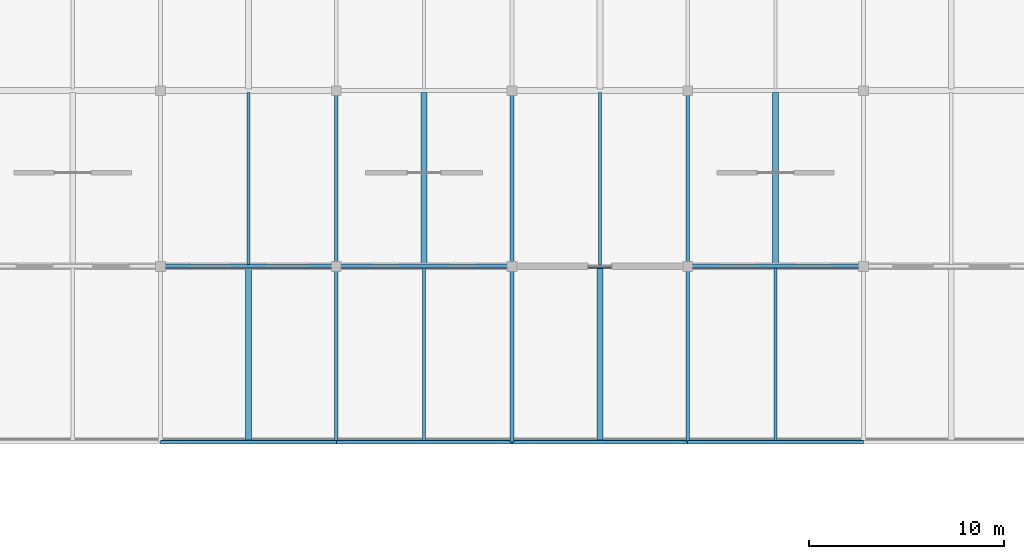
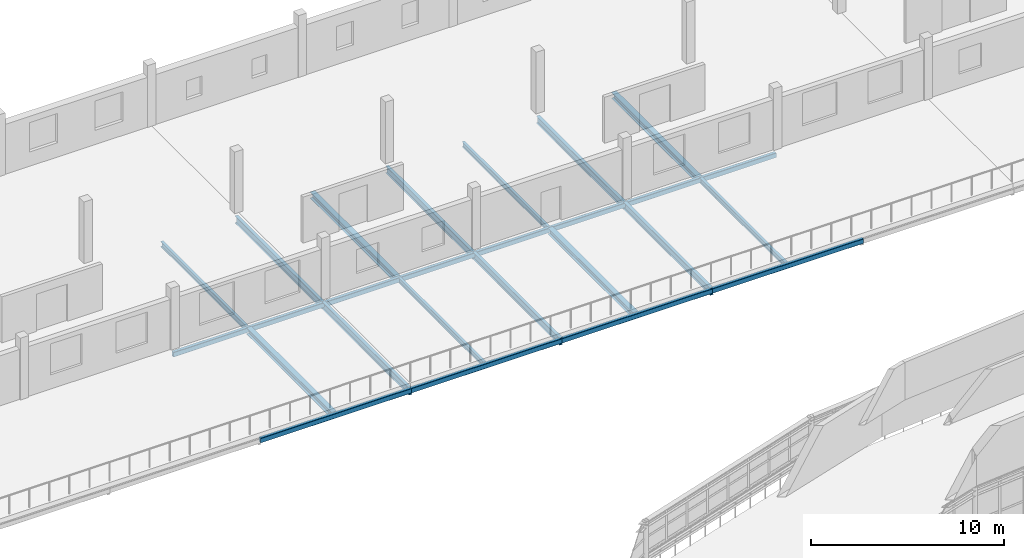
# One storey, part 73 of 123: 22 beams.
"""IFC4 building model written with IfcOpenShell, lengths in metres."""

from ifc_helpers import new_model, si_unit, direction, frame, origin, origin_2d, place, context, subcontext, project, spatial, hollow_rectangle, i_section, extrude, material, material_profile, profile_set, type_object, element, save


model = new_model("IFC4")

# Units and contexts
model_context = context("Model", 3, precision=1e-05, world=origin(), true_north=direction((0.0, 1.0)))
body_context = subcontext(model_context, "Body", "Model", "MODEL_VIEW")
ifc_project = project(units=[si_unit("LENGTHUNIT", "METRE"), si_unit("AREAUNIT", "SQUARE_METRE"), si_unit("VOLUMEUNIT", "CUBIC_METRE"), si_unit("PLANEANGLEUNIT", "RADIAN"), si_unit("MASSUNIT", "GRAM", prefix="KILO")], contexts=[model_context])

# Site, building, storey
site_placement = place(None, origin())
site = spatial("IfcSite", under=ifc_project, at=site_placement, CompositionType="ELEMENT")
building_placement = place(site_placement, origin())
building = spatial("IfcBuilding", under=site, at=building_placement, Name="Kildeholm Park Wholesale Market", CompositionType="ELEMENT")
storey_placement = place(building_placement, frame((0.0, 0.0, 9.60009765625)))
storey = spatial("IfcBuildingStorey", under=building, at=storey_placement, Name="L02", CompositionType="ELEMENT", Elevation=9.60009765625)

# Beams
ifc_material = material(Name="Steel S355", Category="steel")
ifc_material_profile_1 = material_profile(ifc_material, i_section(OverallWidth=0.18994140625, OverallDepth=0.449951171875, WebThickness=0.009521484375, FlangeThickness=0.0146484375, FilletRadius=0.02099609375, at=origin_2d()), Name="IPE 450")
ifc_profile_set_1 = profile_set([ifc_material_profile_1], Name="Steel S355")
beam_type_1 = type_object("IfcBeamType", Name="Beam B-P02 IPE 450", PredefinedType="BEAM", material=ifc_profile_set_1)
for number, where, z_axis, x_axis, name in (
    (1, (72.0, 153.0, -0.545166015625), (0.0, 1.0, 0.0), (-1.0, 0.0, 0.0), "Beam BM-V4-L02-Y-072-153 BM-0813"),
    (2, (81.0, 153.0, -0.545166015625), (0.0, 1.0, 0.0), (-1.0, 0.0, 0.0), "Beam BM-V4-L02-Y-081-153 BM-0820"),
    (3, (90.0, 153.0, -0.545166015625), (0.0, 1.0, 0.0), (-1.0, 0.0, 0.0), "Beam BM-V4-L02-Y-090-153 BM-0827"),
    (4, (72.0, 144.0, -0.51513671875), (0.0, 1.0, 0.0), (-1.0, 0.0, 0.0), "Beam BM-V4-L02-Y-072-144 BM-1014"),
    (5, (81.0, 144.0, -0.51513671875), (0.0, 1.0, 0.0), (-1.0, 0.0, 0.0), "Beam BM-V4-L02-Y-081-144 BM-1017"),
    (6, (90.0, 144.0, -0.51513671875), (0.0, 1.0, 0.0), (-1.0, 0.0, 0.0), "Beam BM-V4-L02-Y-090-144 BM-1020"),
):
    element("IfcBeam", number, at=place(storey_placement, frame(where, z_axis=z_axis, x_axis=x_axis)), inside=storey, type_object=beam_type_1, Name=name, PredefinedType="BEAM", context=body_context, shape_type="SweptSolid", body=[
        extrude(i_section(OverallWidth=0.18994140625, OverallDepth=0.449951171875, WebThickness=0.009521484375, FlangeThickness=0.0146484375, FilletRadius=0.02099609375, at=origin_2d()), origin(), (0.0, 0.0, 1.0), 9.0),
    ])
ifc_material_profile_2 = material_profile(ifc_material, i_section(OverallWidth=0.159912109375, OverallDepth=0.330078125, WebThickness=0.007568359375, FlangeThickness=0.011474609375, FilletRadius=0.01806640625, at=origin_2d()), Name="IPE 330")
ifc_profile_set_2 = profile_set([ifc_material_profile_2], Name="Steel S355")
beam_type_2 = type_object("IfcBeamType", Name="Beam J-03 IPE 330", PredefinedType="JOIST", material=ifc_profile_set_2)
for number, where, z_axis, x_axis, name in (
    (7, (67.5, 153.0849609375, -0.485107421875), (0.0, 1.0, 0.0), (-1.0, 0.0, 0.0), "Beam JT-V4-L02-063-153 BM-0807"),
    (8, (85.5, 153.0849609375, -0.485107421875), (0.0, 1.0, 0.0), (-1.0, 0.0, 0.0), "Beam JT-V4-L02-081-153 BM-0821"),
    (9, (76.5, 144.0849609375, -0.455078125), (0.0, 1.0, 0.0), (-1.0, 0.0, 0.0), "Beam JT-V4-L02-072-144 BM-1015"),
    (10, (94.5, 144.0849609375, -0.455078125), (0.0, 1.0, 0.0), (-1.0, 0.0, 0.0), "Beam JT-V4-L02-090-144 BM-1021"),
):
    element("IfcBeam", number, at=place(storey_placement, frame(where, z_axis=z_axis, x_axis=x_axis)), inside=storey, type_object=beam_type_2, Name=name, PredefinedType="JOIST", context=body_context, shape_type="SweptSolid", body=[
        extrude(i_section(OverallWidth=0.159912109375, OverallDepth=0.330078125, WebThickness=0.007568359375, FlangeThickness=0.011474609375, FilletRadius=0.01806640625, at=origin_2d()), origin(), (0.0, 0.0, 1.0), 8.830078125),
    ])
ifc_material_profile_3 = material_profile(ifc_material, i_section(OverallWidth=0.300048828125, OverallDepth=0.389892578125, WebThickness=0.010986328125, FlangeThickness=0.01904296875, FilletRadius=0.027099609375, at=origin_2d()), Name="HEA 400")
ifc_profile_set_3 = profile_set([ifc_material_profile_3], Name="Steel S355")
beam_type_3 = type_object("IfcBeamType", Name="Beam J-06 HEA 400", PredefinedType="JOIST", material=ifc_profile_set_3)
for number, where, z_axis, x_axis, name in (
    (11, (76.5, 153.0849609375, -0.51904296875), (0.0, 1.0, 0.0), (-1.0, 0.0, 0.0), "Beam JT-V4-L02-072-153 BM-0814"),
    (12, (94.5, 153.0849609375, -0.51904296875), (0.0, 1.0, 0.0), (-1.0, 0.0, 0.0), "Beam JT-V4-L02-090-153 BM-0828"),
    (13, (67.5, 144.0849609375, -0.485107421875), (0.0, 1.0, 0.0), (-1.0, 0.0, 0.0), "Beam JT-V4-L02-063-144 BM-1012"),
    (14, (85.5, 144.0849609375, -0.485107421875), (0.0, 1.0, 0.0), (-1.0, 0.0, 0.0), "Beam JT-V4-L02-081-144 BM-1018"),
):
    element("IfcBeam", number, at=place(storey_placement, frame(where, z_axis=z_axis, x_axis=x_axis)), inside=storey, type_object=beam_type_3, Name=name, PredefinedType="JOIST", context=body_context, shape_type="SweptSolid", body=[
        extrude(i_section(OverallWidth=0.300048828125, OverallDepth=0.389892578125, WebThickness=0.010986328125, FlangeThickness=0.01904296875, FilletRadius=0.027099609375, at=origin_2d()), origin(), (0.0, 0.0, 1.0), 8.830078125),
    ])
ifc_material_profile_4 = material_profile(ifc_material, hollow_rectangle(XDim=0.199951171875, YDim=0.300048828125, WallThickness=0.012451171875, InnerFilletRadius=0.012451171875, OuterFilletRadius=0.02490234375, at=origin_2d()), Name="RHS 300x200x12.5")
ifc_profile_set_4 = profile_set([ifc_material_profile_4], Name="Steel S355")
beam_type_4 = type_object("IfcBeamType", Name="Beam SP-01 RHS 300x200x12.5", PredefinedType="SPANDREL", material=ifc_profile_set_4)
for number, where, z_axis, x_axis, name in (
    (15, (63.0, 153.0, -0.47412109375), (1.0, 0.0, 0.0), (0.0, 1.0, 0.0), "Beam BM-V4-L02-X-063-153 BM-0805"),
    (16, (72.0, 153.0, -0.47412109375), (1.0, 0.0, 0.0), (0.0, 1.0, 0.0), "Beam BM-V4-L02-X-072-153 BM-0812"),
    (17, (81.0, 153.0, -0.47412109375), (1.0, 0.0, 0.0), (0.0, 1.0, 0.0), "Beam BM-V4-L02-X-081-153 BM-0819"),
    (18, (90.0, 153.0, -0.47412109375), (1.0, 0.0, 0.0), (0.0, 1.0, 0.0), "Beam BM-V4-L02-X-090-153 BM-0826"),
    (19, (63.0, 144.0, -0.440185546875), (1.0, 0.0, 0.0), (0.0, 1.0, 0.0), "Beam BM-V4-L02-X-063-144 BM-1010"),
    (20, (72.0, 144.0, -0.440185546875), (1.0, 0.0, 0.0), (0.0, 1.0, 0.0), "Beam BM-V4-L02-X-072-144 BM-1013"),
    (21, (81.0, 144.0, -0.440185546875), (1.0, 0.0, 0.0), (0.0, 1.0, 0.0), "Beam BM-V4-L02-X-081-144 BM-1016"),
    (22, (90.0, 144.0, -0.440185546875), (1.0, 0.0, 0.0), (0.0, 1.0, 0.0), "Beam BM-V4-L02-X-090-144 BM-1019"),
):
    element("IfcBeam", number, at=place(storey_placement, frame(where, z_axis=z_axis, x_axis=x_axis)), inside=storey, type_object=beam_type_4, Name=name, PredefinedType="SPANDREL", context=body_context, shape_type="SweptSolid", body=[
        extrude(hollow_rectangle(XDim=0.199951171875, YDim=0.300048828125, WallThickness=0.012451171875, InnerFilletRadius=0.012451171875, OuterFilletRadius=0.02490234375, at=origin_2d()), origin(), (0.0, 0.0, 1.0), 9.0),
    ])

save(model, "model.ifc")
